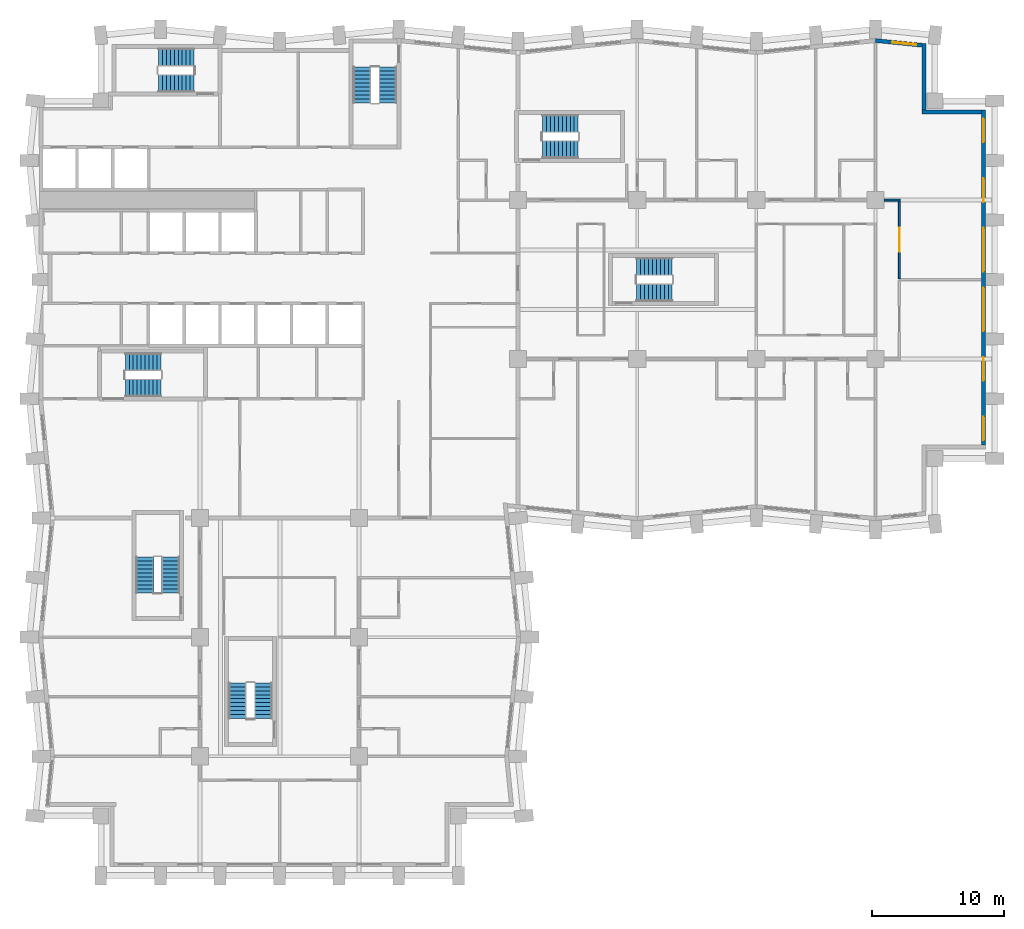
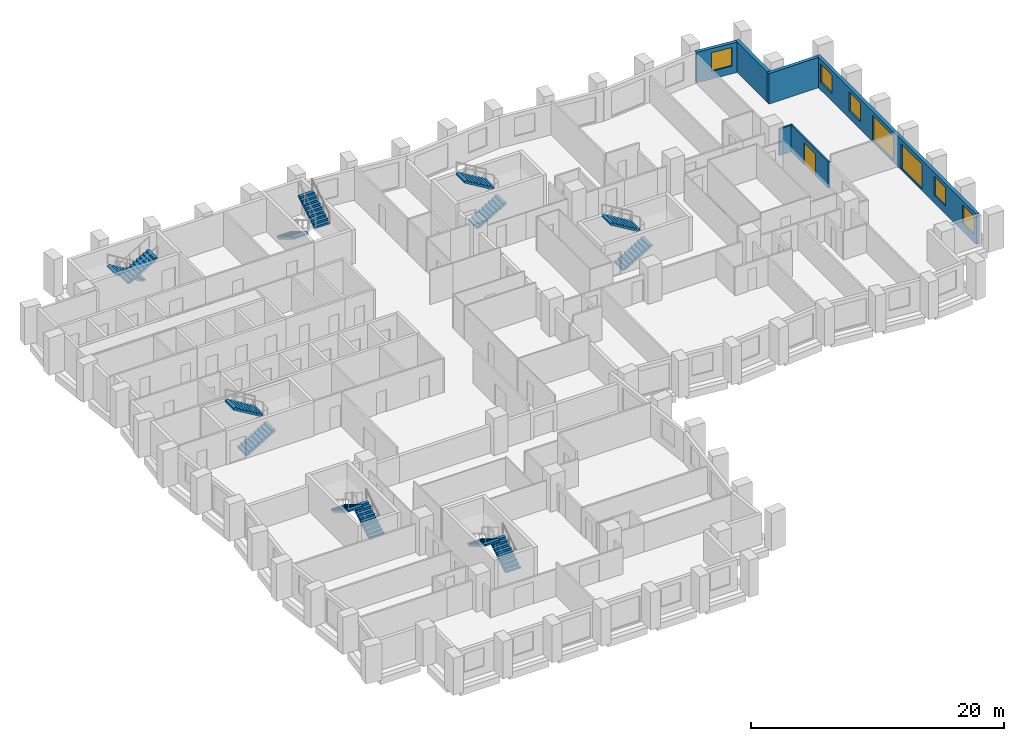
# One storey, part 10 of 12: 14 stair flights, 7 windows, 6 walls, 1 door, 8 openings, 7 elements without a shape of their own.
"""IFC4 building model written with IfcOpenShell, lengths in metres."""

import ifcopenshell
import ifcopenshell.guid

model = None  # the IFC model being written
_history = None  # IfcOwnerHistory: only IFC2X3 demands one
_inside = {}  # id of a spatial element -> (the spatial element, [elements in it])
_under = {}  # id of a project, library or spatial element -> (it, [spatial elements below it])
_declared = {}  # id of a project -> (the project, [libraries it declares])
_typed = {}  # id of a type object -> (the type object, [elements of that type])
_made_of = {}  # id of a material, layer set ... -> (it, [elements and type objects made of it])


def new_model(schema):
    """Start an empty IFC model of exactly this schema.

    Asked for "IFC4X3", IfcOpenShell would pick the latest addendum, in which some entities
    have other attributes; the version numbers below select the first issue.
    IFC2X3 requires an IfcOwnerHistory on every rooted entity: one is made here for all.
    """
    global model, _history
    if schema == "IFC4X3":
        model = ifcopenshell.file(schema_version=(4, 3, 0, 0))
    else:
        model = ifcopenshell.file(schema=schema)
    _inside.clear()
    _under.clear()
    _declared.clear()
    _typed.clear()
    _made_of.clear()
    _history = None
    if model.schema == "IFC2X3":
        org = make("IfcOrganization", Name="unknown")
        user = make(
            "IfcPersonAndOrganization",
            ThePerson=make("IfcPerson", FamilyName="unknown"),
            TheOrganization=org,
        )
        app = make(
            "IfcApplication",
            ApplicationDeveloper=org,
            Version="unknown",
            ApplicationFullName="unknown",
            ApplicationIdentifier="unknown",
        )
        _history = make(
            "IfcOwnerHistory",
            OwningUser=user,
            OwningApplication=app,
            ChangeAction="ADDED",
            CreationDate=0,
        )
    return model


def make(cls, **values):
    """One entity of the class cls with the attributes given. An attribute that is None is left unset."""
    return model.create_entity(
        cls, **{name: value for name, value in values.items() if value is not None}
    )


def rooted(cls, **values):
    """An entity with a GlobalId (a new one), such as an element, a storey or a relation."""
    return make(cls, GlobalId=ifcopenshell.guid.new(), OwnerHistory=_history, **values)


def si_unit(unit_type, name, prefix=None):
    """IfcSIUnit, for example si_unit("LENGTHUNIT", "METRE", prefix="MILLI")."""
    return make("IfcSIUnit", UnitType=unit_type, Prefix=prefix, Name=name)


def assignment(units):
    """IfcUnitAssignment: the units of a project."""
    return None if units is None else make("IfcUnitAssignment", Units=units)


def point(xyz):
    """IfcCartesianPoint."""
    return None if xyz is None else make("IfcCartesianPoint", Coordinates=xyz)


def direction(xyz):
    """IfcDirection."""
    return None if xyz is None else make("IfcDirection", DirectionRatios=xyz)


def frame(location, z_axis=None, x_axis=None):
    """IfcAxis2Placement3D, a coordinate frame: its origin and axes. An axis left out is left unset."""
    return make(
        "IfcAxis2Placement3D",
        Location=point(location),
        Axis=direction(z_axis),
        RefDirection=direction(x_axis),
    )


def frame_2d(location, x_axis=None):
    """IfcAxis2Placement2D, a coordinate frame in the plane: its origin and x axis."""
    return make(
        "IfcAxis2Placement2D", Location=point(location), RefDirection=direction(x_axis)
    )


def origin():
    """The frame at (0, 0, 0) with its axes left unset."""
    return frame((0.0, 0.0, 0.0))


def place(relative_to, where):
    """IfcLocalPlacement: puts the frame where relative to a parent placement (None: the world)."""
    return make(
        "IfcLocalPlacement", PlacementRelTo=relative_to, RelativePlacement=where
    )


def context(
    kind, dimensions, precision=None, world=None, true_north=None, identifier=None
):
    """IfcGeometricRepresentationContext, for example the 3D "Model" context."""
    return make(
        "IfcGeometricRepresentationContext",
        ContextIdentifier=identifier,
        ContextType=kind,
        CoordinateSpaceDimension=dimensions,
        Precision=precision,
        WorldCoordinateSystem=world,
        TrueNorth=true_north,
    )


def subcontext(parent, identifier, kind, view, scale=None):
    """IfcGeometricRepresentationSubContext, for example "Body" below "Model"."""
    return make(
        "IfcGeometricRepresentationSubContext",
        ContextIdentifier=identifier,
        ContextType=kind,
        ParentContext=parent,
        TargetScale=scale,
        TargetView=view,
    )


def project(units=None, contexts=None):
    """IfcProject with its units and contexts."""
    return rooted(
        "IfcProject",
        Name="project",
        RepresentationContexts=contexts,
        UnitsInContext=assignment(units),
    )


def spatial(cls, under=None, at=None, **own):
    """A site, building, storey or space (cls), placed at a placement, below another one or the project."""
    s = rooted(cls, ObjectPlacement=at, **own)
    if under is not None:
        _under.setdefault(under.id(), (under, []))[1].append(s)
    return s


def polyline(points):
    """IfcPolyline through the points."""
    return make("IfcPolyline", Points=[point(p) for p in points])


def profile(cls, at=None, kind="AREA", **sizes):
    """A parametric profile (cls). Its sizes go by their IFC names, for example OverallWidth=200.0."""
    return make(cls, ProfileType=kind, Position=at, **sizes)


def rectangle(**sizes):
    """IfcRectangleProfileDef."""
    return profile("IfcRectangleProfileDef", **sizes)


def outline(outer, holes=None, kind="AREA"):
    """IfcArbitraryClosedProfileDef: a profile drawn as a closed curve; with holes, ...WithVoids."""
    if holes is None:
        return make("IfcArbitraryClosedProfileDef", ProfileType=kind, OuterCurve=outer)
    return make(
        "IfcArbitraryProfileDefWithVoids",
        ProfileType=kind,
        OuterCurve=outer,
        InnerCurves=holes,
    )


def extrude(swept, where, along, depth):
    """IfcExtrudedAreaSolid: the profile swept, set in the frame where, extruded along a direction by depth."""
    return make(
        "IfcExtrudedAreaSolid",
        SweptArea=swept,
        Position=where,
        ExtrudedDirection=direction(along),
        Depth=depth,
    )


def shape(context_of_items, identifier, shape_type, items):
    """IfcShapeRepresentation: the items that make up one representation, for example the "Body"."""
    return make(
        "IfcShapeRepresentation",
        ContextOfItems=context_of_items,
        RepresentationIdentifier=identifier,
        RepresentationType=shape_type,
        Items=items,
    )


def material(Name=None, Category=None):
    """IfcMaterial."""
    return make("IfcMaterial", Name=Name, Category=Category)


def layer(
    of_material, thickness, ventilated=None, Name=None, Category=None, Priority=None
):
    """IfcMaterialLayer: one layer of a wall or slab, of a material (None: an air gap)."""
    return make(
        "IfcMaterialLayer",
        Material=of_material,
        LayerThickness=thickness,
        IsVentilated=ventilated,
        Name=Name,
        Category=Category,
        Priority=Priority,
    )


def layer_set(layers, Name=None):
    """IfcMaterialLayerSet."""
    return make("IfcMaterialLayerSet", MaterialLayers=layers, LayerSetName=Name)


def made_of(thing, what):
    """Note that an element or type object is made of a material, layer set ...; save() writes the relation."""
    if what is not None:
        _made_of.setdefault(what.id(), (what, []))[1].append(thing)
    return thing


def type_object(cls, material=None, **own):
    """A type object (cls), such as IfcWallType, which elements share."""
    return made_of(rooted(cls, **own), material)


def element(
    cls,
    number,
    at=None,
    inside=None,
    cuts=None,
    type_object=None,
    material=None,
    context=None,
    identifier="Body",
    shape_type=None,
    held_by="IfcProductDefinitionShape",
    body=None,
    shapes=None,
    **own,
):
    """One element of the class cls, such as IfcWall. Its Tag is "e" and its number.

    at: its placement. inside: the storey or other place that contains it. cuts: it is an
    opening in that element (IfcRelVoidsElement). A single representation is given by context,
    identifier, shape_type and body (its items); several are given by shapes. held_by: the class
    of the entity that holds the representations. save() writes the other relations.
    """
    e = rooted(cls, Tag="e%d" % number, ObjectPlacement=at, **own)
    if body is not None:
        shapes = [shape(context, identifier, shape_type, body)]
    if shapes is not None:
        e.Representation = make(held_by, Representations=shapes)
    if inside is not None:
        _inside.setdefault(inside.id(), (inside, []))[1].append(e)
    if cuts is not None:
        rooted(
            "IfcRelVoidsElement", RelatingBuildingElement=cuts, RelatedOpeningElement=e
        )
    if type_object is not None:
        _typed.setdefault(type_object.id(), (type_object, []))[1].append(e)
    return made_of(e, material)


def fill(opening, filler):
    """IfcRelFillsElement: the door or window that sits in an opening."""
    return rooted(
        "IfcRelFillsElement",
        RelatingOpeningElement=opening,
        RelatedBuildingElement=filler,
    )


def aggregate(whole, parts):
    """IfcRelAggregates: a whole, such as a stair, and the parts it consists of."""
    return rooted("IfcRelAggregates", RelatingObject=whole, RelatedObjects=parts)


def save(model, path):
    """Write the relations noted so far, then the file.

    IfcRelAggregates (storeys below a building ...), IfcRelContainedInSpatialStructure (elements
    in a storey), IfcRelDefinesByType, IfcRelAssociatesMaterial and IfcRelDeclares: one each for
    every whole, place, type object, material and project.
    """
    for whole, parts in _under.values():
        aggregate(whole, parts)
    for where, things in _inside.values():
        rooted(
            "IfcRelContainedInSpatialStructure",
            RelatedElements=things,
            RelatingStructure=where,
        )
    for kind, things in _typed.values():
        rooted("IfcRelDefinesByType", RelatedObjects=things, RelatingType=kind)
    for what, things in _made_of.values():
        rooted("IfcRelAssociatesMaterial", RelatedObjects=things, RelatingMaterial=what)
    for by, libraries in _declared.values():
        rooted("IfcRelDeclares", RelatingContext=by, RelatedDefinitions=libraries)
    model.write(path)


model = new_model("IFC4")

# Units and contexts
model_context = context("Model", 3, precision=1e-05, world=origin(), true_north=direction((0.0, 1.0)))
body_context = subcontext(model_context, "Body", "Model", "MODEL_VIEW")
ifc_project = project(units=[si_unit("LENGTHUNIT", "METRE"), si_unit("AREAUNIT", "SQUARE_METRE"), si_unit("VOLUMEUNIT", "CUBIC_METRE"), si_unit("PLANEANGLEUNIT", "RADIAN"), si_unit("MASSUNIT", "GRAM", prefix="KILO")], contexts=[model_context])

# Site, building, storey
site_placement = place(None, origin())
site = spatial("IfcSite", under=ifc_project, at=site_placement, CompositionType="ELEMENT")
building_placement = place(site_placement, origin())
building = spatial("IfcBuilding", under=site, at=building_placement, Name="Brondeck Convention Tower", CompositionType="ELEMENT")
storey_placement = place(building_placement, frame((0.0, 0.0, 62.699951171875)))
storey = spatial("IfcBuildingStorey", under=building, at=storey_placement, Name="L13", CompositionType="ELEMENT", Elevation=62.699951171875)

# Wall, openings, windows
ifc_material_1 = material(Name="Precast concrete C50/60 bronze finish", Category="concrete")
ifc_layer_1 = layer(ifc_material_1, 0.070068359375, Name="Bronze precast facing")
ifc_material_2 = material(Name="Mineral wool")
ifc_layer_2 = layer(ifc_material_2, 0.159912109375, Name="Insulation")
ifc_material_3 = material(Name="Concrete C35/45", Category="concrete")
ifc_layer_3 = layer(ifc_material_3, 0.070068359375, Name="Backing")
ifc_layer_set_1 = layer_set([ifc_layer_1, ifc_layer_2, ifc_layer_3], Name="External infill wall, precast concrete C50/60 bronze facing")
wall_type_1 = type_object("IfcWallType", Name="External infill wall, precast concrete C50/60 bronze facing", PredefinedType="SOLIDWALL", material=ifc_layer_set_1)
wall_1_placement = place(storey_placement, frame((71.14990234375, 57.800048828125, 0.0), z_axis=(0.0, 0.0, 1.0), x_axis=(0.0, -1.0, 0.0)))
wall_1 = element("IfcWall", 1, at=wall_1_placement, inside=storey, type_object=wall_type_1, Name="ENV-EW-L13-P0-A-E72-01", PredefinedType="SOLIDWALL", context=body_context, shape_type="SweptSolid", body=[
    extrude(rectangle(XDim=25.302001953125, YDim=0.300048828125, at=frame_2d((12.65087890625, 0.0))), origin(), (0.0, 0.0, 1.0), 2.949951171875),
])
opening_1_placement = place(wall_1_placement, frame((0.64990234375, 0.0, 0.75)))
opening_1 = element("IfcOpeningElement", 2, at=opening_1_placement, cuts=wall_1, Name="Opening W10", PredefinedType="OPENING", context=body_context, shape_type="SweptSolid", body=[
    extrude(rectangle(XDim=1.800048828125, YDim=1.800048828125, at=frame_2d((0.89990234375, 0.89990234375))), frame((0.0, 0.159912109375, 0.0), z_axis=(0.0, -1.0, 0.0), x_axis=(1.0, 0.0, 0.0)), (0.0, 0.0, 1.0), 0.320068359375),
])
opening_2_placement = place(wall_1_placement, frame((5.14990234375, 0.0, 0.75)))
opening_2 = element("IfcOpeningElement", 3, at=opening_2_placement, cuts=wall_1, Name="Opening W10", PredefinedType="OPENING", context=body_context, shape_type="SweptSolid", body=[
    extrude(rectangle(XDim=1.800048828125, YDim=1.800048828125, at=frame_2d((0.89990234375, 0.89990234375))), frame((0.0, 0.159912109375, 0.0), z_axis=(0.0, -1.0, 0.0), x_axis=(1.0, 0.0, 0.0)), (0.0, 0.0, 1.0), 0.320068359375),
])
opening_3_placement = place(wall_1_placement, frame((8.89990234375, 0.0, 0.14990234375)))
opening_3 = element("IfcOpeningElement", 4, at=opening_3_placement, cuts=wall_1, Name="Opening W9", PredefinedType="OPENING", context=body_context, shape_type="SweptSolid", body=[
    extrude(rectangle(XDim=3.300048828125, YDim=2.39990234375, at=frame_2d((1.64990234375, 1.199951171875))), frame((0.0, 0.159912109375, 0.0), z_axis=(0.0, -1.0, 0.0), x_axis=(1.0, 0.0, 0.0)), (0.0, 0.0, 1.0), 0.320068359375),
])
opening_4_placement = place(wall_1_placement, frame((13.39990234375, 0.0, 0.14990234375)))
opening_4 = element("IfcOpeningElement", 5, at=opening_4_placement, cuts=wall_1, Name="Opening W9", PredefinedType="OPENING", context=body_context, shape_type="SweptSolid", body=[
    extrude(rectangle(XDim=3.300048828125, YDim=2.39990234375, at=frame_2d((1.64990234375, 1.199951171875))), frame((0.0, 0.159912109375, 0.0), z_axis=(0.0, -1.0, 0.0), x_axis=(1.0, 0.0, 0.0)), (0.0, 0.0, 1.0), 0.320068359375),
])
opening_5_placement = place(wall_1_placement, frame((18.64990234375, 0.0, 0.75)))
opening_5 = element("IfcOpeningElement", 6, at=opening_5_placement, cuts=wall_1, Name="Opening W10", PredefinedType="OPENING", context=body_context, shape_type="SweptSolid", body=[
    extrude(rectangle(XDim=1.800048828125, YDim=1.800048828125, at=frame_2d((0.89990234375, 0.89990234375))), frame((0.0, 0.159912109375, 0.0), z_axis=(0.0, -1.0, 0.0), x_axis=(1.0, 0.0, 0.0)), (0.0, 0.0, 1.0), 0.320068359375),
])
opening_6_placement = place(wall_1_placement, frame((23.14990234375, 0.0, 0.75)))
opening_6 = element("IfcOpeningElement", 7, at=opening_6_placement, cuts=wall_1, Name="Opening W10", PredefinedType="OPENING", context=body_context, shape_type="SweptSolid", body=[
    extrude(rectangle(XDim=1.800048828125, YDim=1.800048828125, at=frame_2d((0.89990234375, 0.89990234375))), frame((0.0, 0.159912109375, 0.0), z_axis=(0.0, -1.0, 0.0), x_axis=(1.0, 0.0, 0.0)), (0.0, 0.0, 1.0), 0.320068359375),
])
ifc_material_4 = material(Name="Bronze tinted double glazing", Category="glass")
window_type_1 = type_object("IfcWindowType", Name="Glazed flute window, bronze tinted", PartitioningType="SINGLE_PANEL", PredefinedType="WINDOW", material=ifc_material_4)
window_1_placement = place(opening_3_placement, origin())
window_1 = element("IfcWindow", 8, at=window_1_placement, inside=storey, type_object=window_type_1, Name="ENV-WN-L13-P0-A-E72-04", OverallHeight=2.39990234375, OverallWidth=3.300048828125, PartitioningType="SINGLE_PANEL", PredefinedType="WINDOW", context=body_context, shape_type="SweptSolid", body=[
    extrude(rectangle(XDim=3.300048828125, YDim=2.39990234375, at=frame_2d((1.64990234375, 1.199951171875))), frame((0.0, 0.030029296875, 0.0), z_axis=(0.0, -1.0, 0.0), x_axis=(1.0, 0.0, 0.0)), (0.0, 0.0, 1.0), 0.06005859375),
])
fill(opening_3, window_1)
window_2_placement = place(opening_4_placement, origin())
window_2 = element("IfcWindow", 9, at=window_2_placement, inside=storey, type_object=window_type_1, Name="ENV-WN-L13-P0-A-E72-03", OverallHeight=2.39990234375, OverallWidth=3.300048828125, PartitioningType="SINGLE_PANEL", PredefinedType="WINDOW", context=body_context, shape_type="SweptSolid", body=[
    extrude(rectangle(XDim=3.300048828125, YDim=2.39990234375, at=frame_2d((1.64990234375, 1.199951171875))), frame((0.0, 0.030029296875, 0.0), z_axis=(0.0, -1.0, 0.0), x_axis=(1.0, 0.0, 0.0)), (0.0, 0.0, 1.0), 0.06005859375),
])
fill(opening_4, window_2)
window_type_2 = type_object("IfcWindowType", Name="Punched window, bronze tinted", PartitioningType="SINGLE_PANEL", PredefinedType="WINDOW", material=ifc_material_4)
window_3_placement = place(opening_1_placement, origin())
window_3 = element("IfcWindow", 10, at=window_3_placement, inside=storey, type_object=window_type_2, Name="ENV-WN-L13-P0-A-E72-06", OverallHeight=1.800048828125, OverallWidth=1.800048828125, PartitioningType="SINGLE_PANEL", PredefinedType="WINDOW", context=body_context, shape_type="SweptSolid", body=[
    extrude(rectangle(XDim=1.800048828125, YDim=1.800048828125, at=frame_2d((0.89990234375, 0.89990234375))), frame((0.0, 0.030029296875, 0.0), z_axis=(0.0, -1.0, 0.0), x_axis=(1.0, 0.0, 0.0)), (0.0, 0.0, 1.0), 0.06005859375),
])
fill(opening_1, window_3)
window_4_placement = place(opening_2_placement, origin())
window_4 = element("IfcWindow", 11, at=window_4_placement, inside=storey, type_object=window_type_2, Name="ENV-WN-L13-P0-A-E72-05", OverallHeight=1.800048828125, OverallWidth=1.800048828125, PartitioningType="SINGLE_PANEL", PredefinedType="WINDOW", context=body_context, shape_type="SweptSolid", body=[
    extrude(rectangle(XDim=1.800048828125, YDim=1.800048828125, at=frame_2d((0.89990234375, 0.89990234375))), frame((0.0, 0.030029296875, 0.0), z_axis=(0.0, -1.0, 0.0), x_axis=(1.0, 0.0, 0.0)), (0.0, 0.0, 1.0), 0.06005859375),
])
fill(opening_2, window_4)
window_5_placement = place(opening_5_placement, origin())
window_5 = element("IfcWindow", 12, at=window_5_placement, inside=storey, type_object=window_type_2, Name="ENV-WN-L13-P0-A-E72-02", OverallHeight=1.800048828125, OverallWidth=1.800048828125, PartitioningType="SINGLE_PANEL", PredefinedType="WINDOW", context=body_context, shape_type="SweptSolid", body=[
    extrude(rectangle(XDim=1.800048828125, YDim=1.800048828125, at=frame_2d((0.89990234375, 0.89990234375))), frame((0.0, 0.030029296875, 0.0), z_axis=(0.0, -1.0, 0.0), x_axis=(1.0, 0.0, 0.0)), (0.0, 0.0, 1.0), 0.06005859375),
])
fill(opening_5, window_5)
window_6_placement = place(opening_6_placement, origin())
window_6 = element("IfcWindow", 13, at=window_6_placement, inside=storey, type_object=window_type_2, Name="ENV-WN-L13-P0-A-E72-01", OverallHeight=1.800048828125, OverallWidth=1.800048828125, PartitioningType="SINGLE_PANEL", PredefinedType="WINDOW", context=body_context, shape_type="SweptSolid", body=[
    extrude(rectangle(XDim=1.800048828125, YDim=1.800048828125, at=frame_2d((0.89990234375, 0.89990234375))), frame((0.0, 0.030029296875, 0.0), z_axis=(0.0, -1.0, 0.0), x_axis=(1.0, 0.0, 0.0)), (0.0, 0.0, 1.0), 0.06005859375),
])
fill(opening_6, window_6)

# Walls
wall_2_placement = place(storey_placement, frame((66.5, 57.64990234375, 0.0), z_axis=(0.0, 0.0, 1.0), x_axis=(1.0, 0.0, 0.0)))
element("IfcWall", 14, at=wall_2_placement, inside=storey, type_object=wall_type_1, Name="ENV-EW-L13-P0-NC-NEA72-01", PredefinedType="SOLIDWALL", context=body_context, shape_type="SweptSolid", body=[
    extrude(rectangle(XDim=4.5, YDim=0.300048828125, at=frame_2d((2.25, 0.0))), origin(), (0.0, 0.0, 1.0), 2.949951171875),
])
wall_3_placement = place(storey_placement, frame((66.64990234375, 62.81640625, 0.0), z_axis=(0.0, 0.0, 1.0), x_axis=(0.0, -1.0, 0.0)))
element("IfcWall", 15, at=wall_3_placement, inside=storey, type_object=wall_type_1, Name="ENV-EW-L13-P0-NC-NEA72-02", PredefinedType="SOLIDWALL", context=body_context, shape_type="SweptSolid", body=[
    extrude(rectangle(XDim=5.018310546875, YDim=0.300048828125, at=frame_2d((2.50927734375, 0.0))), origin(), (0.0, 0.0, 1.0), 2.949951171875),
])

# Wall, opening, window
wall_4_placement = place(storey_placement, frame((62.985107421875, 63.04736328125, 0.0), z_axis=(0.0, 0.0, 1.0), x_axis=(0.995031712439, -0.099558481511, 0.0)))
wall_4 = element("IfcWall", 16, at=wall_4_placement, inside=storey, type_object=wall_type_1, Name="ENV-EW-L13-P0-A-N-14", PredefinedType="SOLIDWALL", context=body_context, shape_type="SweptSolid", body=[
    extrude(rectangle(XDim=3.53125, YDim=0.300048828125, at=frame_2d((1.765625, 0.0))), origin(), (0.0, 0.0, 1.0), 2.949951171875),
])
opening_7_placement = place(wall_4_placement, frame((1.291259765625, 0.0, 0.75)))
opening_7 = element("IfcOpeningElement", 17, at=opening_7_placement, cuts=wall_4, Name="Opening W10", PredefinedType="OPENING", context=body_context, shape_type="SweptSolid", body=[
    extrude(rectangle(XDim=1.800048828125, YDim=1.800048828125, at=frame_2d((0.89990234375, 0.89990234375))), frame((0.0, 0.159912109375, 0.0), z_axis=(0.0, -1.0, 0.0), x_axis=(1.0, 0.0, 0.0)), (0.0, 0.0, 1.0), 0.320068359375),
])
window_7_placement = place(opening_7_placement, origin())
window_7 = element("IfcWindow", 18, at=window_7_placement, inside=storey, type_object=window_type_2, Name="ENV-WN-L13-P0-A-N-14", OverallHeight=1.800048828125, OverallWidth=1.800048828125, PartitioningType="SINGLE_PANEL", PredefinedType="WINDOW", context=body_context, shape_type="SweptSolid", body=[
    extrude(rectangle(XDim=1.800048828125, YDim=1.800048828125, at=frame_2d((0.89990234375, 0.89990234375))), frame((0.0, 0.030029296875, 0.0), z_axis=(0.0, -1.0, 0.0), x_axis=(1.0, 0.0, 0.0)), (0.0, 0.0, 1.0), 0.06005859375),
])
fill(opening_7, window_7)

# Wall, opening, door
ifc_material_5 = material(Name="Double gypsum board acoustic wall")
ifc_layer_4 = layer(ifc_material_5, 0.14990234375)
ifc_layer_set_2 = layer_set([ifc_layer_4], Name="Guest room party wall 150")
wall_type_2 = type_object("IfcWallType", Name="Guest room party wall 150", PredefinedType="PARTITIONING", material=ifc_layer_set_2)
wall_5_placement = place(storey_placement, frame((64.800048828125, 50.925048828125, 0.0), z_axis=(0.0, 0.0, 1.0), x_axis=(0.0, -1.0, 0.0)))
wall_5 = element("IfcWall", 19, at=wall_5_placement, inside=storey, type_object=wall_type_2, Name="FLR-L13-W100", PredefinedType="PARTITIONING", context=body_context, shape_type="SweptSolid", body=[
    extrude(rectangle(XDim=5.85009765625, YDim=0.14990234375, at=frame_2d((2.925048828125, 0.0))), origin(), (0.0, 0.0, 1.0), 2.580078125),
])
opening_8_placement = place(wall_5_placement, frame((2.02490234375, 0.0, 0.0)))
opening_8 = element("IfcOpeningElement", 20, at=opening_8_placement, cuts=wall_5, Name="Opening H3-020", PredefinedType="OPENING", context=body_context, shape_type="SweptSolid", body=[
    extrude(rectangle(XDim=1.800048828125, YDim=2.10009765625, at=frame_2d((0.89990234375, 1.050048828125))), frame((0.0, 0.0849609375, 0.0), z_axis=(0.0, -1.0, 0.0), x_axis=(1.0, 0.0, 0.0)), (0.0, 0.0, 1.0), 0.169921875),
])
ifc_material_6 = material(Name="Glazed timber double door", Category="wood")
door_type = type_object("IfcDoorType", Name="Double door 1800", OperationType="DOUBLE_DOOR_SINGLE_SWING", PredefinedType="DOOR", material=ifc_material_6)
door_placement = place(opening_8_placement, origin())
door = element("IfcDoor", 21, at=door_placement, inside=storey, type_object=door_type, Name="Door H3-020", OperationType="DOUBLE_DOOR_SINGLE_SWING", OverallHeight=2.10009765625, OverallWidth=1.800048828125, PredefinedType="DOOR", context=body_context, shape_type="SweptSolid", body=[
    extrude(rectangle(XDim=1.800048828125, YDim=2.10009765625, at=frame_2d((0.89990234375, 1.050048828125))), frame((0.0, 0.02490234375, 0.0), z_axis=(0.0, -1.0, 0.0), x_axis=(1.0, 0.0, 0.0)), (0.0, 0.0, 1.0), 0.050048828125),
])
fill(opening_8, door)

# Wall
wall_6_placement = place(storey_placement, frame((63.655029296875, 51.0, 0.0), z_axis=(0.0, 0.0, 1.0), x_axis=(1.0, 0.0, 0.0)))
element("IfcWall", 22, at=wall_6_placement, inside=storey, type_object=wall_type_2, Name="FLR-L13-W112", PredefinedType="PARTITIONING", context=body_context, shape_type="SweptSolid", body=[
    extrude(rectangle(XDim=1.219970703125, YDim=0.14990234375, at=frame_2d((0.60986328125, 0.0))), origin(), (0.0, 0.0, 1.0), 2.580078125),
])

# Stair, stair flights
ifc_material_7 = material(Name="Precast concrete C50/60", Category="concrete")
stair_type = type_object("IfcStairType", Name="Core stair 20 risers 180.00 mm riser 300 mm going 1350 wide", PredefinedType="HALF_TURN_STAIR", material=ifc_material_7)
stair_1_placement = place(storey_placement, origin())
stair_1 = element("IfcStair", 23, at=stair_1_placement, inside=storey, type_object=stair_type, Name="ST-1 L13 stair", PredefinedType="HALF_TURN_STAIR")
stair_flight_type = type_object("IfcStairFlightType", Name="Core stair flight 20 risers 180.00 mm riser 300 mm going 1350 wide", PredefinedType="STRAIGHT", material=ifc_material_7)
stair_flight_1_placement = place(storey_placement, frame((6.35009765625, 36.824951171875, 0.0), z_axis=(0.0, 0.0, 1.0), x_axis=(1.0, 0.0, 0.0)))
stair_flight_1 = element("IfcStairFlight", 24, at=stair_flight_1_placement, type_object=stair_flight_type, Name="ST-1 flight 1", NumberOfRisers=10, NumberOfTreads=9, PredefinedType="STRAIGHT", RiserHeight=0.18, TreadLength=0.3, context=body_context, shape_type="SweptSolid", body=[
    extrude(outline(polyline([(0.0, 0.0), (0.0, 0.179931640625), (0.300048828125, 0.179931640625), (0.300048828125, 0.360107421875), (0.60009765625, 0.360107421875), (0.60009765625, 0.5400390625), (0.89990234375, 0.5400390625), (0.89990234375, 0.719970703125), (1.199951171875, 0.719970703125), (1.199951171875, 0.89990234375), (1.5, 0.89990234375), (1.5, 1.080078125), (1.800048828125, 1.080078125), (1.800048828125, 1.260009765625), (2.10009765625, 1.260009765625), (2.10009765625, 1.43994140625), (2.39990234375, 1.43994140625), (2.39990234375, 1.6201171875), (2.699951171875, 1.6201171875), (2.699951171875, 1.800048828125), (2.699951171875, 1.445068359375), (0.291259765625, 0.0), (0.0, 0.0)])), frame((0.0, 0.675048828125, 0.0), z_axis=(0.0, -1.0, 0.0), x_axis=(1.0, 0.0, 0.0)), (0.0, 0.0, 1.0), 1.35009765625),
])
stair_flight_2_placement = place(storey_placement, frame((9.050048828125, 38.77490234375, 1.800048828125), z_axis=(0.0, 0.0, 1.0), x_axis=(-1.0, 0.0, 0.0)))
stair_flight_2 = element("IfcStairFlight", 25, at=stair_flight_2_placement, type_object=stair_flight_type, Name="ST-1 flight 2", NumberOfRisers=10, NumberOfTreads=9, PredefinedType="STRAIGHT", RiserHeight=0.18, TreadLength=0.3, context=body_context, shape_type="SweptSolid", body=[
    extrude(outline(polyline([(0.0, 0.0), (0.0, 0.179931640625), (0.300048828125, 0.179931640625), (0.300048828125, 0.360107421875), (0.60009765625, 0.360107421875), (0.60009765625, 0.5400390625), (0.89990234375, 0.5400390625), (0.89990234375, 0.719970703125), (1.199951171875, 0.719970703125), (1.199951171875, 0.89990234375), (1.5, 0.89990234375), (1.5, 1.080078125), (1.800048828125, 1.080078125), (1.800048828125, 1.260009765625), (2.10009765625, 1.260009765625), (2.10009765625, 1.43994140625), (2.39990234375, 1.43994140625), (2.39990234375, 1.6201171875), (2.699951171875, 1.6201171875), (2.699951171875, 1.800048828125), (2.699951171875, 1.445068359375), (0.291259765625, 0.0), (0.0, 0.0)])), frame((0.0, 0.675048828125, 0.0), z_axis=(0.0, -1.0, 0.0), x_axis=(1.0, 0.0, 0.0)), (0.0, 0.0, 1.0), 1.35009765625),
])
aggregate(stair_1, [stair_flight_1, stair_flight_2])

stair_2_placement = place(storey_placement, origin())
stair_2 = element("IfcStair", 26, at=stair_2_placement, inside=storey, type_object=stair_type, Name="ST-2 L13 stair", PredefinedType="HALF_TURN_STAIR")
stair_flight_3_placement = place(storey_placement, frame((24.22509765625, 61.050048828125, 0.0), z_axis=(0.0, 0.0, 1.0), x_axis=(0.0, -1.0, 0.0)))
stair_flight_3 = element("IfcStairFlight", 27, at=stair_flight_3_placement, type_object=stair_flight_type, Name="ST-2 flight 1", NumberOfRisers=10, NumberOfTreads=9, PredefinedType="STRAIGHT", RiserHeight=0.18, TreadLength=0.3, context=body_context, shape_type="SweptSolid", body=[
    extrude(outline(polyline([(0.0, 0.0), (0.0, 0.179931640625), (0.300048828125, 0.179931640625), (0.300048828125, 0.360107421875), (0.60009765625, 0.360107421875), (0.60009765625, 0.5400390625), (0.89990234375, 0.5400390625), (0.89990234375, 0.719970703125), (1.199951171875, 0.719970703125), (1.199951171875, 0.89990234375), (1.5, 0.89990234375), (1.5, 1.080078125), (1.800048828125, 1.080078125), (1.800048828125, 1.260009765625), (2.10009765625, 1.260009765625), (2.10009765625, 1.43994140625), (2.39990234375, 1.43994140625), (2.39990234375, 1.6201171875), (2.699951171875, 1.6201171875), (2.699951171875, 1.800048828125), (2.699951171875, 1.445068359375), (0.291259765625, 0.0), (0.0, 0.0)])), frame((0.0, 0.675048828125, 0.0), z_axis=(0.0, -1.0, 0.0), x_axis=(1.0, 0.0, 0.0)), (0.0, 0.0, 1.0), 1.35009765625),
])
stair_flight_4_placement = place(storey_placement, frame((26.175048828125, 58.35009765625, 1.800048828125), z_axis=(0.0, 0.0, 1.0), x_axis=(0.0, 1.0, 0.0)))
stair_flight_4 = element("IfcStairFlight", 28, at=stair_flight_4_placement, type_object=stair_flight_type, Name="ST-2 flight 2", NumberOfRisers=10, NumberOfTreads=9, PredefinedType="STRAIGHT", RiserHeight=0.18, TreadLength=0.3, context=body_context, shape_type="SweptSolid", body=[
    extrude(outline(polyline([(0.0, 0.0), (0.0, 0.179931640625), (0.300048828125, 0.179931640625), (0.300048828125, 0.360107421875), (0.60009765625, 0.360107421875), (0.60009765625, 0.5400390625), (0.89990234375, 0.5400390625), (0.89990234375, 0.719970703125), (1.199951171875, 0.719970703125), (1.199951171875, 0.89990234375), (1.5, 0.89990234375), (1.5, 1.080078125), (1.800048828125, 1.080078125), (1.800048828125, 1.260009765625), (2.10009765625, 1.260009765625), (2.10009765625, 1.43994140625), (2.39990234375, 1.43994140625), (2.39990234375, 1.6201171875), (2.699951171875, 1.6201171875), (2.699951171875, 1.800048828125), (2.699951171875, 1.445068359375), (0.291259765625, 0.0), (0.0, 0.0)])), frame((0.0, 0.675048828125, 0.0), z_axis=(0.0, -1.0, 0.0), x_axis=(1.0, 0.0, 0.0)), (0.0, 0.0, 1.0), 1.35009765625),
])
aggregate(stair_2, [stair_flight_3, stair_flight_4])

stair_3_placement = place(storey_placement, origin())
stair_3 = element("IfcStair", 29, at=stair_3_placement, inside=storey, type_object=stair_type, Name="ST-3 L13 stair", PredefinedType="HALF_TURN_STAIR")
stair_flight_5_placement = place(storey_placement, frame((11.550048828125, 61.77490234375, 0.0), z_axis=(0.0, 0.0, 1.0), x_axis=(-1.0, 0.0, 0.0)))
stair_flight_5 = element("IfcStairFlight", 30, at=stair_flight_5_placement, type_object=stair_flight_type, Name="ST-3 flight 1", NumberOfRisers=10, NumberOfTreads=9, PredefinedType="STRAIGHT", RiserHeight=0.18, TreadLength=0.3, context=body_context, shape_type="SweptSolid", body=[
    extrude(outline(polyline([(0.0, 0.0), (0.0, 0.179931640625), (0.300048828125, 0.179931640625), (0.300048828125, 0.360107421875), (0.60009765625, 0.360107421875), (0.60009765625, 0.5400390625), (0.89990234375, 0.5400390625), (0.89990234375, 0.719970703125), (1.199951171875, 0.719970703125), (1.199951171875, 0.89990234375), (1.5, 0.89990234375), (1.5, 1.080078125), (1.800048828125, 1.080078125), (1.800048828125, 1.260009765625), (2.10009765625, 1.260009765625), (2.10009765625, 1.43994140625), (2.39990234375, 1.43994140625), (2.39990234375, 1.6201171875), (2.699951171875, 1.6201171875), (2.699951171875, 1.800048828125), (2.699951171875, 1.445068359375), (0.291259765625, 0.0), (0.0, 0.0)])), frame((0.0, 0.675048828125, 0.0), z_axis=(0.0, -1.0, 0.0), x_axis=(1.0, 0.0, 0.0)), (0.0, 0.0, 1.0), 1.35009765625),
])
stair_flight_6_placement = place(storey_placement, frame((8.85009765625, 59.824951171875, 1.800048828125), z_axis=(0.0, 0.0, 1.0), x_axis=(1.0, 0.0, 0.0)))
stair_flight_6 = element("IfcStairFlight", 31, at=stair_flight_6_placement, type_object=stair_flight_type, Name="ST-3 flight 2", NumberOfRisers=10, NumberOfTreads=9, PredefinedType="STRAIGHT", RiserHeight=0.18, TreadLength=0.3, context=body_context, shape_type="SweptSolid", body=[
    extrude(outline(polyline([(0.0, 0.0), (0.0, 0.179931640625), (0.300048828125, 0.179931640625), (0.300048828125, 0.360107421875), (0.60009765625, 0.360107421875), (0.60009765625, 0.5400390625), (0.89990234375, 0.5400390625), (0.89990234375, 0.719970703125), (1.199951171875, 0.719970703125), (1.199951171875, 0.89990234375), (1.5, 0.89990234375), (1.5, 1.080078125), (1.800048828125, 1.080078125), (1.800048828125, 1.260009765625), (2.10009765625, 1.260009765625), (2.10009765625, 1.43994140625), (2.39990234375, 1.43994140625), (2.39990234375, 1.6201171875), (2.699951171875, 1.6201171875), (2.699951171875, 1.800048828125), (2.699951171875, 1.445068359375), (0.291259765625, 0.0), (0.0, 0.0)])), frame((0.0, 0.675048828125, 0.0), z_axis=(0.0, -1.0, 0.0), x_axis=(1.0, 0.0, 0.0)), (0.0, 0.0, 1.0), 1.35009765625),
])
aggregate(stair_3, [stair_flight_5, stair_flight_6])

stair_4_placement = place(storey_placement, origin())
stair_4 = element("IfcStair", 32, at=stair_4_placement, inside=storey, type_object=stair_type, Name="ST-AE L13 stair", PredefinedType="HALF_TURN_STAIR")
stair_flight_7_placement = place(storey_placement, frame((37.85009765625, 54.824951171875, 0.0), z_axis=(0.0, 0.0, 1.0), x_axis=(1.0, 0.0, 0.0)))
stair_flight_7 = element("IfcStairFlight", 33, at=stair_flight_7_placement, type_object=stair_flight_type, Name="ST-AE flight 1", NumberOfRisers=10, NumberOfTreads=9, PredefinedType="STRAIGHT", RiserHeight=0.18, TreadLength=0.3, context=body_context, shape_type="SweptSolid", body=[
    extrude(outline(polyline([(0.0, 0.0), (0.0, 0.179931640625), (0.300048828125, 0.179931640625), (0.300048828125, 0.360107421875), (0.60009765625, 0.360107421875), (0.60009765625, 0.5400390625), (0.89990234375, 0.5400390625), (0.89990234375, 0.719970703125), (1.199951171875, 0.719970703125), (1.199951171875, 0.89990234375), (1.5, 0.89990234375), (1.5, 1.080078125), (1.800048828125, 1.080078125), (1.800048828125, 1.260009765625), (2.10009765625, 1.260009765625), (2.10009765625, 1.43994140625), (2.39990234375, 1.43994140625), (2.39990234375, 1.6201171875), (2.699951171875, 1.6201171875), (2.699951171875, 1.800048828125), (2.699951171875, 1.445068359375), (0.291259765625, 0.0), (0.0, 0.0)])), frame((0.0, 0.675048828125, 0.0), z_axis=(0.0, -1.0, 0.0), x_axis=(1.0, 0.0, 0.0)), (0.0, 0.0, 1.0), 1.35009765625),
])
stair_flight_8_placement = place(storey_placement, frame((40.550048828125, 56.77490234375, 1.800048828125), z_axis=(0.0, 0.0, 1.0), x_axis=(-1.0, 0.0, 0.0)))
stair_flight_8 = element("IfcStairFlight", 34, at=stair_flight_8_placement, type_object=stair_flight_type, Name="ST-AE flight 2", NumberOfRisers=10, NumberOfTreads=9, PredefinedType="STRAIGHT", RiserHeight=0.18, TreadLength=0.3, context=body_context, shape_type="SweptSolid", body=[
    extrude(outline(polyline([(0.0, 0.0), (0.0, 0.179931640625), (0.300048828125, 0.179931640625), (0.300048828125, 0.360107421875), (0.60009765625, 0.360107421875), (0.60009765625, 0.5400390625), (0.89990234375, 0.5400390625), (0.89990234375, 0.719970703125), (1.199951171875, 0.719970703125), (1.199951171875, 0.89990234375), (1.5, 0.89990234375), (1.5, 1.080078125), (1.800048828125, 1.080078125), (1.800048828125, 1.260009765625), (2.10009765625, 1.260009765625), (2.10009765625, 1.43994140625), (2.39990234375, 1.43994140625), (2.39990234375, 1.6201171875), (2.699951171875, 1.6201171875), (2.699951171875, 1.800048828125), (2.699951171875, 1.445068359375), (0.291259765625, 0.0), (0.0, 0.0)])), frame((0.0, 0.675048828125, 0.0), z_axis=(0.0, -1.0, 0.0), x_axis=(1.0, 0.0, 0.0)), (0.0, 0.0, 1.0), 1.35009765625),
])
aggregate(stair_4, [stair_flight_7, stair_flight_8])

stair_5_placement = place(storey_placement, origin())
stair_5 = element("IfcStair", 35, at=stair_5_placement, inside=storey, type_object=stair_type, Name="ST-BE L13 stair", PredefinedType="HALF_TURN_STAIR")
stair_flight_9_placement = place(storey_placement, frame((9.77490234375, 21.35009765625, 0.0), z_axis=(0.0, 0.0, 1.0), x_axis=(0.0, 1.0, 0.0)))
stair_flight_9 = element("IfcStairFlight", 36, at=stair_flight_9_placement, type_object=stair_flight_type, Name="ST-BE flight 1", NumberOfRisers=10, NumberOfTreads=9, PredefinedType="STRAIGHT", RiserHeight=0.18, TreadLength=0.3, context=body_context, shape_type="SweptSolid", body=[
    extrude(outline(polyline([(0.0, 0.0), (0.0, 0.179931640625), (0.300048828125, 0.179931640625), (0.300048828125, 0.360107421875), (0.60009765625, 0.360107421875), (0.60009765625, 0.5400390625), (0.89990234375, 0.5400390625), (0.89990234375, 0.719970703125), (1.199951171875, 0.719970703125), (1.199951171875, 0.89990234375), (1.5, 0.89990234375), (1.5, 1.080078125), (1.800048828125, 1.080078125), (1.800048828125, 1.260009765625), (2.10009765625, 1.260009765625), (2.10009765625, 1.43994140625), (2.39990234375, 1.43994140625), (2.39990234375, 1.6201171875), (2.699951171875, 1.6201171875), (2.699951171875, 1.800048828125), (2.699951171875, 1.445068359375), (0.291259765625, 0.0), (0.0, 0.0)])), frame((0.0, 0.675048828125, 0.0), z_axis=(0.0, -1.0, 0.0), x_axis=(1.0, 0.0, 0.0)), (0.0, 0.0, 1.0), 1.35009765625),
])
stair_flight_10_placement = place(storey_placement, frame((7.824951171875, 24.050048828125, 1.800048828125), z_axis=(0.0, 0.0, 1.0), x_axis=(0.0, -1.0, 0.0)))
stair_flight_10 = element("IfcStairFlight", 37, at=stair_flight_10_placement, type_object=stair_flight_type, Name="ST-BE flight 2", NumberOfRisers=10, NumberOfTreads=9, PredefinedType="STRAIGHT", RiserHeight=0.18, TreadLength=0.3, context=body_context, shape_type="SweptSolid", body=[
    extrude(outline(polyline([(0.0, 0.0), (0.0, 0.179931640625), (0.300048828125, 0.179931640625), (0.300048828125, 0.360107421875), (0.60009765625, 0.360107421875), (0.60009765625, 0.5400390625), (0.89990234375, 0.5400390625), (0.89990234375, 0.719970703125), (1.199951171875, 0.719970703125), (1.199951171875, 0.89990234375), (1.5, 0.89990234375), (1.5, 1.080078125), (1.800048828125, 1.080078125), (1.800048828125, 1.260009765625), (2.10009765625, 1.260009765625), (2.10009765625, 1.43994140625), (2.39990234375, 1.43994140625), (2.39990234375, 1.6201171875), (2.699951171875, 1.6201171875), (2.699951171875, 1.800048828125), (2.699951171875, 1.445068359375), (0.291259765625, 0.0), (0.0, 0.0)])), frame((0.0, 0.675048828125, 0.0), z_axis=(0.0, -1.0, 0.0), x_axis=(1.0, 0.0, 0.0)), (0.0, 0.0, 1.0), 1.35009765625),
])
aggregate(stair_5, [stair_flight_9, stair_flight_10])

stair_6_placement = place(storey_placement, origin())
stair_6 = element("IfcStair", 38, at=stair_6_placement, inside=storey, type_object=stair_type, Name="ST-AF L13 stair", PredefinedType="HALF_TURN_STAIR")
stair_flight_11_placement = place(storey_placement, frame((44.949951171875, 44.02490234375, 0.0), z_axis=(0.0, 0.0, 1.0), x_axis=(1.0, 0.0, 0.0)))
stair_flight_11 = element("IfcStairFlight", 39, at=stair_flight_11_placement, type_object=stair_flight_type, Name="ST-AF flight 1", NumberOfRisers=10, NumberOfTreads=9, PredefinedType="STRAIGHT", RiserHeight=0.18, TreadLength=0.3, context=body_context, shape_type="SweptSolid", body=[
    extrude(outline(polyline([(0.0, 0.0), (0.0, 0.179931640625), (0.300048828125, 0.179931640625), (0.300048828125, 0.360107421875), (0.60009765625, 0.360107421875), (0.60009765625, 0.5400390625), (0.89990234375, 0.5400390625), (0.89990234375, 0.719970703125), (1.199951171875, 0.719970703125), (1.199951171875, 0.89990234375), (1.5, 0.89990234375), (1.5, 1.080078125), (1.800048828125, 1.080078125), (1.800048828125, 1.260009765625), (2.10009765625, 1.260009765625), (2.10009765625, 1.43994140625), (2.39990234375, 1.43994140625), (2.39990234375, 1.6201171875), (2.699951171875, 1.6201171875), (2.699951171875, 1.800048828125), (2.699951171875, 1.445068359375), (0.291259765625, 0.0), (0.0, 0.0)])), frame((0.0, 0.675048828125, 0.0), z_axis=(0.0, -1.0, 0.0), x_axis=(1.0, 0.0, 0.0)), (0.0, 0.0, 1.0), 1.35009765625),
])
stair_flight_12_placement = place(storey_placement, frame((47.64990234375, 45.97509765625, 1.800048828125), z_axis=(0.0, 0.0, 1.0), x_axis=(-1.0, 0.0, 0.0)))
stair_flight_12 = element("IfcStairFlight", 40, at=stair_flight_12_placement, type_object=stair_flight_type, Name="ST-AF flight 2", NumberOfRisers=10, NumberOfTreads=9, PredefinedType="STRAIGHT", RiserHeight=0.18, TreadLength=0.3, context=body_context, shape_type="SweptSolid", body=[
    extrude(outline(polyline([(0.0, 0.0), (0.0, 0.179931640625), (0.300048828125, 0.179931640625), (0.300048828125, 0.360107421875), (0.60009765625, 0.360107421875), (0.60009765625, 0.5400390625), (0.89990234375, 0.5400390625), (0.89990234375, 0.719970703125), (1.199951171875, 0.719970703125), (1.199951171875, 0.89990234375), (1.5, 0.89990234375), (1.5, 1.080078125), (1.800048828125, 1.080078125), (1.800048828125, 1.260009765625), (2.10009765625, 1.260009765625), (2.10009765625, 1.43994140625), (2.39990234375, 1.43994140625), (2.39990234375, 1.6201171875), (2.699951171875, 1.6201171875), (2.699951171875, 1.800048828125), (2.699951171875, 1.445068359375), (0.291259765625, 0.0), (0.0, 0.0)])), frame((0.0, 0.675048828125, 0.0), z_axis=(0.0, -1.0, 0.0), x_axis=(1.0, 0.0, 0.0)), (0.0, 0.0, 1.0), 1.35009765625),
])
aggregate(stair_6, [stair_flight_11, stair_flight_12])

stair_7_placement = place(storey_placement, origin())
stair_7 = element("IfcStair", 41, at=stair_7_placement, inside=storey, type_object=stair_type, Name="ST-BF L13 stair", PredefinedType="HALF_TURN_STAIR")
stair_flight_13_placement = place(storey_placement, frame((16.77490234375, 11.85009765625, 0.0), z_axis=(0.0, 0.0, 1.0), x_axis=(0.0, 1.0, 0.0)))
stair_flight_13 = element("IfcStairFlight", 42, at=stair_flight_13_placement, type_object=stair_flight_type, Name="ST-BF flight 1", NumberOfRisers=10, NumberOfTreads=9, PredefinedType="STRAIGHT", RiserHeight=0.18, TreadLength=0.3, context=body_context, shape_type="SweptSolid", body=[
    extrude(outline(polyline([(0.0, 0.0), (0.0, 0.179931640625), (0.300048828125, 0.179931640625), (0.300048828125, 0.360107421875), (0.60009765625, 0.360107421875), (0.60009765625, 0.5400390625), (0.89990234375, 0.5400390625), (0.89990234375, 0.719970703125), (1.199951171875, 0.719970703125), (1.199951171875, 0.89990234375), (1.5, 0.89990234375), (1.5, 1.080078125), (1.800048828125, 1.080078125), (1.800048828125, 1.260009765625), (2.10009765625, 1.260009765625), (2.10009765625, 1.43994140625), (2.39990234375, 1.43994140625), (2.39990234375, 1.6201171875), (2.699951171875, 1.6201171875), (2.699951171875, 1.800048828125), (2.699951171875, 1.445068359375), (0.291259765625, 0.0), (0.0, 0.0)])), frame((0.0, 0.675048828125, 0.0), z_axis=(0.0, -1.0, 0.0), x_axis=(1.0, 0.0, 0.0)), (0.0, 0.0, 1.0), 1.35009765625),
])
stair_flight_14_placement = place(storey_placement, frame((14.824951171875, 14.550048828125, 1.800048828125), z_axis=(0.0, 0.0, 1.0), x_axis=(0.0, -1.0, 0.0)))
stair_flight_14 = element("IfcStairFlight", 43, at=stair_flight_14_placement, type_object=stair_flight_type, Name="ST-BF flight 2", NumberOfRisers=10, NumberOfTreads=9, PredefinedType="STRAIGHT", RiserHeight=0.18, TreadLength=0.3, context=body_context, shape_type="SweptSolid", body=[
    extrude(outline(polyline([(0.0, 0.0), (0.0, 0.179931640625), (0.300048828125, 0.179931640625), (0.300048828125, 0.360107421875), (0.60009765625, 0.360107421875), (0.60009765625, 0.5400390625), (0.89990234375, 0.5400390625), (0.89990234375, 0.719970703125), (1.199951171875, 0.719970703125), (1.199951171875, 0.89990234375), (1.5, 0.89990234375), (1.5, 1.080078125), (1.800048828125, 1.080078125), (1.800048828125, 1.260009765625), (2.10009765625, 1.260009765625), (2.10009765625, 1.43994140625), (2.39990234375, 1.43994140625), (2.39990234375, 1.6201171875), (2.699951171875, 1.6201171875), (2.699951171875, 1.800048828125), (2.699951171875, 1.445068359375), (0.291259765625, 0.0), (0.0, 0.0)])), frame((0.0, 0.675048828125, 0.0), z_axis=(0.0, -1.0, 0.0), x_axis=(1.0, 0.0, 0.0)), (0.0, 0.0, 1.0), 1.35009765625),
])
aggregate(stair_7, [stair_flight_13, stair_flight_14])

save(model, "model.ifc")
